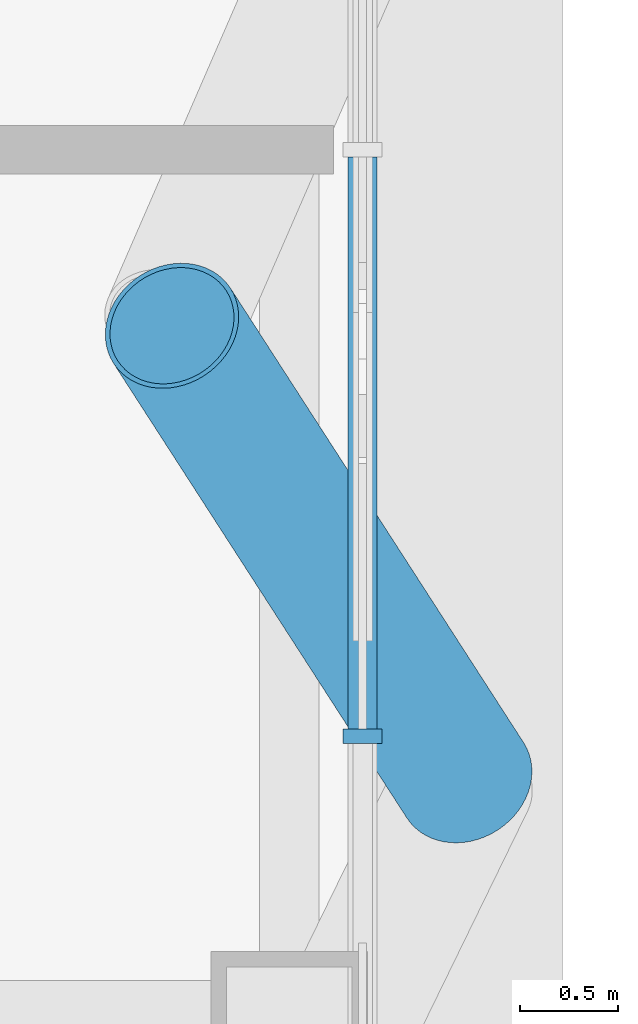
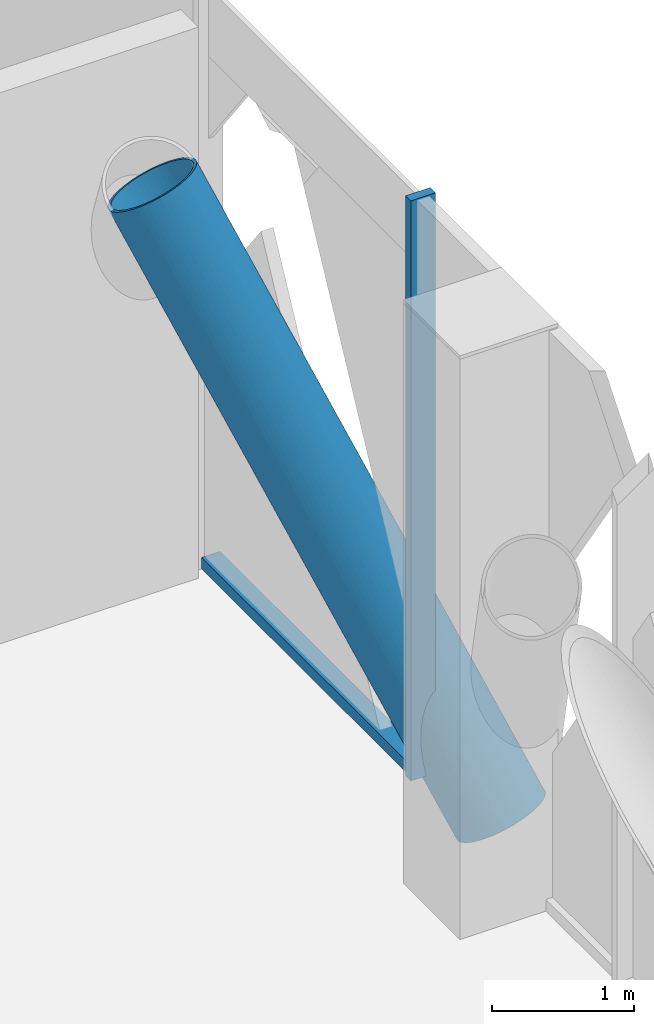
# One storey, part 9 of 27: 3 members, 1 element without a shape of its own.
"""IFC4 building model written with IfcOpenShell, lengths in metres."""

from ifc_helpers import new_model, si_unit, direction, frame, origin, origin_2d, place, context, subcontext, project, spatial, rectangle, hollow_circle, extrude, material, layer, layer_set, material_profile, profile_set, type_object, element, aggregate, save


model = new_model("IFC4")

# Units and contexts
model_context = context("Model", 3, precision=1e-05, world=origin(), true_north=direction((0.0, 1.0)))
body_context = subcontext(model_context, "Body", "Model", "MODEL_VIEW")
ifc_project = project(units=[si_unit("LENGTHUNIT", "METRE"), si_unit("AREAUNIT", "SQUARE_METRE"), si_unit("VOLUMEUNIT", "CUBIC_METRE"), si_unit("PLANEANGLEUNIT", "RADIAN"), si_unit("MASSUNIT", "GRAM", prefix="KILO")], contexts=[model_context])

# Site, building, storey
site_placement = place(None, origin())
site = spatial("IfcSite", under=ifc_project, at=site_placement, CompositionType="ELEMENT")
building_placement = place(site_placement, origin())
building = spatial("IfcBuilding", under=site, at=building_placement, Name="Malebo Sky Hospital", CompositionType="ELEMENT")
storey_placement = place(building_placement, frame((0.0, 0.0, 245.0)))
storey = spatial("IfcBuildingStorey", under=building, at=storey_placement, Name="L59", CompositionType="ELEMENT", Elevation=245.0)

# Curtain wall, member
ifc_material_1 = material(Name="Anodised aluminium, natural silver", Category="aluminium")
ifc_layer = layer(ifc_material_1, 0.25)
ifc_layer_set = layer_set([ifc_layer], Name="PLANT LOUVRE SCREEN")
curtain_wall_type = type_object("IfcCurtainWallType", Name="PLANT LOUVRE SCREEN", PredefinedType="NOTDEFINED", material=ifc_layer_set)
curtain_wall_placement = place(storey_placement, origin())
curtain_wall = element("IfcCurtainWall", 1, at=curtain_wall_placement, inside=storey, type_object=curtain_wall_type, Name="PLANT curtain wall E", PredefinedType="NOTDEFINED")
ifc_material_profile_1 = material_profile(ifc_material_1, rectangle(XDim=0.14990234375, YDim=0.10009765625, at=origin_2d()), Name="ALUMINIUM TRANSOM 150x100")
ifc_profile_set_1 = profile_set([ifc_material_profile_1], Name="Anodised aluminium, natural silver")
member_type_1 = type_object("IfcMemberType", Name="ALUMINIUM TRANSOM 150x100", PredefinedType="USERDEFINED", material=ifc_profile_set_1)
member_1_placement = place(storey_placement, frame((82.574951171875, 70.96240234375, 0.050048828125), z_axis=(0.0, -1.0, 0.0), x_axis=(1.0, 0.0, 0.0)))
member_1 = element("IfcMember", 2, at=member_1_placement, type_object=member_type_1, Name="Transom 4", ObjectType="TRANSOM", PredefinedType="USERDEFINED", context=body_context, shape_type="SweptSolid", body=[
    extrude(rectangle(XDim=0.14990234375, YDim=0.10009765625, at=origin_2d()), origin(), (0.0, 0.0, 1.0), 2.9248046875),
])

# Member
ifc_material_2 = material(Name="Steel S460", Category="steel")
ifc_material_profile_2 = material_profile(ifc_material_2, hollow_circle(Radius=0.35546875, WallThickness=0.02490234375, at=origin_2d()), Name="CHS 711x25")
ifc_profile_set_2 = profile_set([ifc_material_profile_2], Name="Steel S460")
member_type_2 = type_object("IfcMemberType", Name="BELT TRUSS DIAGONAL CHS 711x25", PredefinedType="BRACE", material=ifc_profile_set_2)
member_2_placement = place(storey_placement, frame((83.10009765625, 67.77490234375, -0.39990234375), z_axis=(-0.281682040183, 0.436643839632, 0.854398844539), x_axis=(-0.840317392723, -0.542094714499, 0.0)))
element("IfcMember", 3, at=member_2_placement, inside=storey, type_object=member_type_2, Name="Belt truss diagonal E6.1 L59", PredefinedType="BRACE", context=body_context, shape_type="SweptSolid", body=[
    extrude(hollow_circle(Radius=0.35546875, WallThickness=0.02490234375, at=origin_2d()), origin(), (0.0, 0.0, 1.0), 5.3251953125),
])

ifc_material_profile_3 = material_profile(ifc_material_1, rectangle(XDim=0.074951171875, YDim=0.199951171875, at=origin_2d()), Name="CW5 ALUMINIUM FIN MULLION 75x200")
ifc_profile_set_3 = profile_set([ifc_material_profile_3], Name="Anodised aluminium, natural silver")
member_type_3 = type_object("IfcMemberType", Name="CW5 ALUMINIUM FIN MULLION 75x200", PredefinedType="MULLION", material=ifc_profile_set_3)
member_3_placement = place(storey_placement, frame((82.574951171875, 68.0, 0.0), z_axis=(0.0, 0.0, 1.0), x_axis=(0.0, -1.0, 0.0)))
member_3 = element("IfcMember", 4, at=member_3_placement, type_object=member_type_3, Name="Fin mullion 5", PredefinedType="MULLION", context=body_context, shape_type="SweptSolid", body=[
    extrude(rectangle(XDim=0.074951171875, YDim=0.199951171875, at=origin_2d()), origin(), (0.0, 0.0, 1.0), 5.0),
])

aggregate(curtain_wall, [member_3, member_1])

save(model, "model.ifc")
